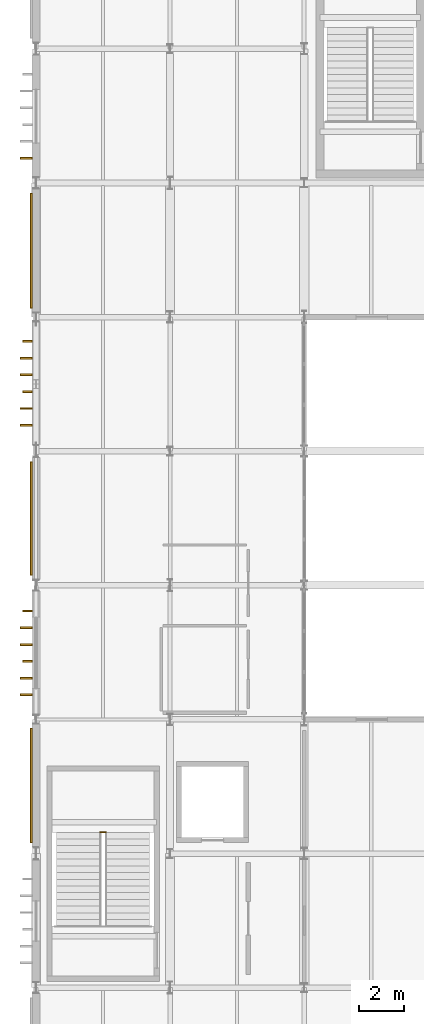
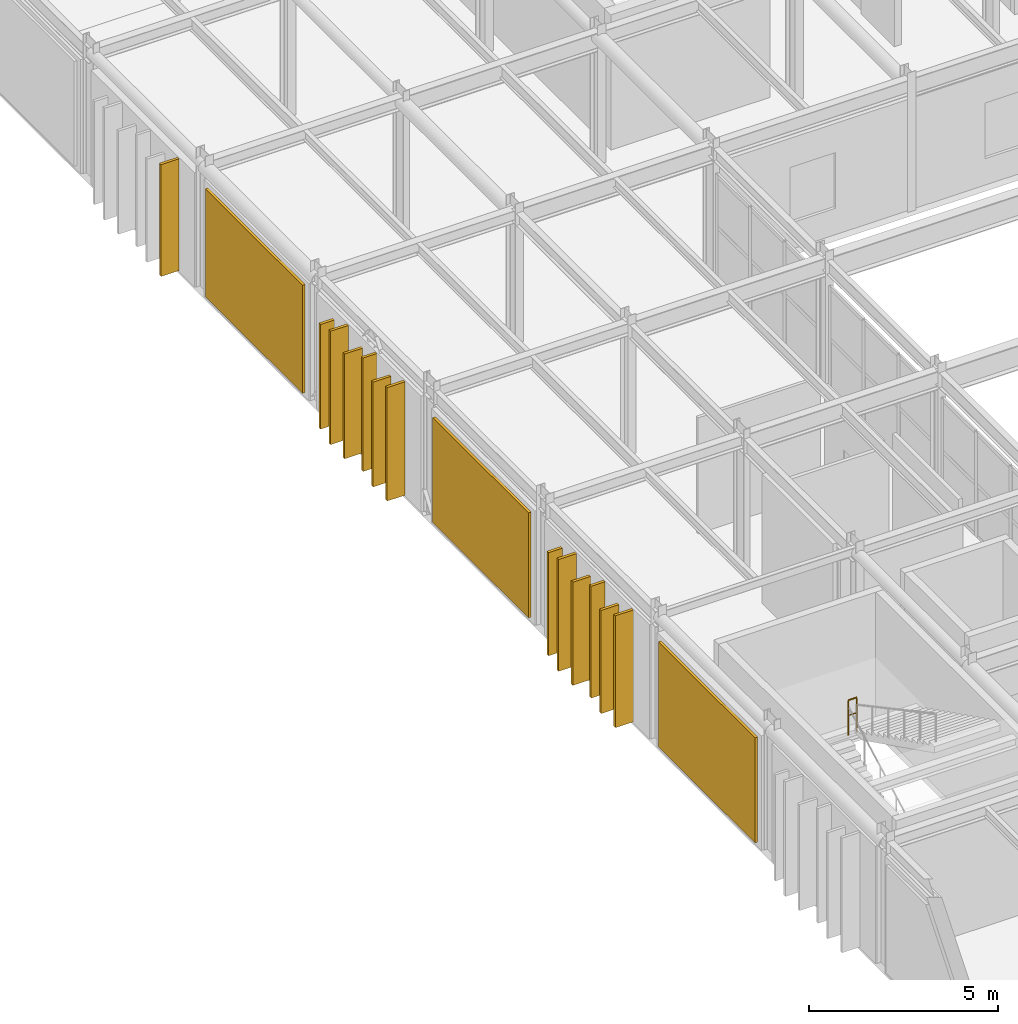
# One storey, part 73 of 84: 13 coverings, 3 shading devices, 1 railing.
"""IFC4 building model written with IfcOpenShell, lengths in metres."""

import ifcopenshell
import ifcopenshell.guid

model = None  # the IFC model being written
_history = None  # IfcOwnerHistory: only IFC2X3 demands one
_inside = {}  # id of a spatial element -> (the spatial element, [elements in it])
_under = {}  # id of a project, library or spatial element -> (it, [spatial elements below it])
_declared = {}  # id of a project -> (the project, [libraries it declares])
_typed = {}  # id of a type object -> (the type object, [elements of that type])
_made_of = {}  # id of a material, layer set ... -> (it, [elements and type objects made of it])


def new_model(schema):
    """Start an empty IFC model of exactly this schema.

    Asked for "IFC4X3", IfcOpenShell would pick the latest addendum, in which some entities
    have other attributes; the version numbers below select the first issue.
    IFC2X3 requires an IfcOwnerHistory on every rooted entity: one is made here for all.
    """
    global model, _history
    if schema == "IFC4X3":
        model = ifcopenshell.file(schema_version=(4, 3, 0, 0))
    else:
        model = ifcopenshell.file(schema=schema)
    _inside.clear()
    _under.clear()
    _declared.clear()
    _typed.clear()
    _made_of.clear()
    _history = None
    if model.schema == "IFC2X3":
        org = make("IfcOrganization", Name="unknown")
        user = make(
            "IfcPersonAndOrganization",
            ThePerson=make("IfcPerson", FamilyName="unknown"),
            TheOrganization=org,
        )
        app = make(
            "IfcApplication",
            ApplicationDeveloper=org,
            Version="unknown",
            ApplicationFullName="unknown",
            ApplicationIdentifier="unknown",
        )
        _history = make(
            "IfcOwnerHistory",
            OwningUser=user,
            OwningApplication=app,
            ChangeAction="ADDED",
            CreationDate=0,
        )
    return model


def make(cls, **values):
    """One entity of the class cls with the attributes given. An attribute that is None is left unset."""
    return model.create_entity(
        cls, **{name: value for name, value in values.items() if value is not None}
    )


def rooted(cls, **values):
    """An entity with a GlobalId (a new one), such as an element, a storey or a relation."""
    return make(cls, GlobalId=ifcopenshell.guid.new(), OwnerHistory=_history, **values)


def si_unit(unit_type, name, prefix=None):
    """IfcSIUnit, for example si_unit("LENGTHUNIT", "METRE", prefix="MILLI")."""
    return make("IfcSIUnit", UnitType=unit_type, Prefix=prefix, Name=name)


def assignment(units):
    """IfcUnitAssignment: the units of a project."""
    return None if units is None else make("IfcUnitAssignment", Units=units)


def point(xyz):
    """IfcCartesianPoint."""
    return None if xyz is None else make("IfcCartesianPoint", Coordinates=xyz)


def direction(xyz):
    """IfcDirection."""
    return None if xyz is None else make("IfcDirection", DirectionRatios=xyz)


def frame(location, z_axis=None, x_axis=None):
    """IfcAxis2Placement3D, a coordinate frame: its origin and axes. An axis left out is left unset."""
    return make(
        "IfcAxis2Placement3D",
        Location=point(location),
        Axis=direction(z_axis),
        RefDirection=direction(x_axis),
    )


def frame_2d(location, x_axis=None):
    """IfcAxis2Placement2D, a coordinate frame in the plane: its origin and x axis."""
    return make(
        "IfcAxis2Placement2D", Location=point(location), RefDirection=direction(x_axis)
    )


def origin():
    """The frame at (0, 0, 0) with its axes left unset."""
    return frame((0.0, 0.0, 0.0))


def origin_2d():
    """The frame at (0, 0) in the plane with its x axis left unset."""
    return frame_2d((0.0, 0.0))


def place(relative_to, where):
    """IfcLocalPlacement: puts the frame where relative to a parent placement (None: the world)."""
    return make(
        "IfcLocalPlacement", PlacementRelTo=relative_to, RelativePlacement=where
    )


def context(
    kind, dimensions, precision=None, world=None, true_north=None, identifier=None
):
    """IfcGeometricRepresentationContext, for example the 3D "Model" context."""
    return make(
        "IfcGeometricRepresentationContext",
        ContextIdentifier=identifier,
        ContextType=kind,
        CoordinateSpaceDimension=dimensions,
        Precision=precision,
        WorldCoordinateSystem=world,
        TrueNorth=true_north,
    )


def subcontext(parent, identifier, kind, view, scale=None):
    """IfcGeometricRepresentationSubContext, for example "Body" below "Model"."""
    return make(
        "IfcGeometricRepresentationSubContext",
        ContextIdentifier=identifier,
        ContextType=kind,
        ParentContext=parent,
        TargetScale=scale,
        TargetView=view,
    )


def project(units=None, contexts=None):
    """IfcProject with its units and contexts."""
    return rooted(
        "IfcProject",
        Name="project",
        RepresentationContexts=contexts,
        UnitsInContext=assignment(units),
    )


def spatial(cls, under=None, at=None, **own):
    """A site, building, storey or space (cls), placed at a placement, below another one or the project."""
    s = rooted(cls, ObjectPlacement=at, **own)
    if under is not None:
        _under.setdefault(under.id(), (under, []))[1].append(s)
    return s


def profile(cls, at=None, kind="AREA", **sizes):
    """A parametric profile (cls). Its sizes go by their IFC names, for example OverallWidth=200.0."""
    return make(cls, ProfileType=kind, Position=at, **sizes)


def rectangle(**sizes):
    """IfcRectangleProfileDef."""
    return profile("IfcRectangleProfileDef", **sizes)


def circle(**sizes):
    """IfcCircleProfileDef."""
    return profile("IfcCircleProfileDef", **sizes)


def extrude(swept, where, along, depth):
    """IfcExtrudedAreaSolid: the profile swept, set in the frame where, extruded along a direction by depth."""
    return make(
        "IfcExtrudedAreaSolid",
        SweptArea=swept,
        Position=where,
        ExtrudedDirection=direction(along),
        Depth=depth,
    )


def shape(context_of_items, identifier, shape_type, items):
    """IfcShapeRepresentation: the items that make up one representation, for example the "Body"."""
    return make(
        "IfcShapeRepresentation",
        ContextOfItems=context_of_items,
        RepresentationIdentifier=identifier,
        RepresentationType=shape_type,
        Items=items,
    )


def material(Name=None, Category=None):
    """IfcMaterial."""
    return make("IfcMaterial", Name=Name, Category=Category)


def layer(
    of_material, thickness, ventilated=None, Name=None, Category=None, Priority=None
):
    """IfcMaterialLayer: one layer of a wall or slab, of a material (None: an air gap)."""
    return make(
        "IfcMaterialLayer",
        Material=of_material,
        LayerThickness=thickness,
        IsVentilated=ventilated,
        Name=Name,
        Category=Category,
        Priority=Priority,
    )


def layer_set(layers, Name=None):
    """IfcMaterialLayerSet."""
    return make("IfcMaterialLayerSet", MaterialLayers=layers, LayerSetName=Name)


def made_of(thing, what):
    """Note that an element or type object is made of a material, layer set ...; save() writes the relation."""
    if what is not None:
        _made_of.setdefault(what.id(), (what, []))[1].append(thing)
    return thing


def type_object(cls, material=None, **own):
    """A type object (cls), such as IfcWallType, which elements share."""
    return made_of(rooted(cls, **own), material)


def element(
    cls,
    number,
    at=None,
    inside=None,
    cuts=None,
    type_object=None,
    material=None,
    context=None,
    identifier="Body",
    shape_type=None,
    held_by="IfcProductDefinitionShape",
    body=None,
    shapes=None,
    **own,
):
    """One element of the class cls, such as IfcWall. Its Tag is "e" and its number.

    at: its placement. inside: the storey or other place that contains it. cuts: it is an
    opening in that element (IfcRelVoidsElement). A single representation is given by context,
    identifier, shape_type and body (its items); several are given by shapes. held_by: the class
    of the entity that holds the representations. save() writes the other relations.
    """
    e = rooted(cls, Tag="e%d" % number, ObjectPlacement=at, **own)
    if body is not None:
        shapes = [shape(context, identifier, shape_type, body)]
    if shapes is not None:
        e.Representation = make(held_by, Representations=shapes)
    if inside is not None:
        _inside.setdefault(inside.id(), (inside, []))[1].append(e)
    if cuts is not None:
        rooted(
            "IfcRelVoidsElement", RelatingBuildingElement=cuts, RelatedOpeningElement=e
        )
    if type_object is not None:
        _typed.setdefault(type_object.id(), (type_object, []))[1].append(e)
    return made_of(e, material)


def aggregate(whole, parts):
    """IfcRelAggregates: a whole, such as a stair, and the parts it consists of."""
    return rooted("IfcRelAggregates", RelatingObject=whole, RelatedObjects=parts)


def save(model, path):
    """Write the relations noted so far, then the file.

    IfcRelAggregates (storeys below a building ...), IfcRelContainedInSpatialStructure (elements
    in a storey), IfcRelDefinesByType, IfcRelAssociatesMaterial and IfcRelDeclares: one each for
    every whole, place, type object, material and project.
    """
    for whole, parts in _under.values():
        aggregate(whole, parts)
    for where, things in _inside.values():
        rooted(
            "IfcRelContainedInSpatialStructure",
            RelatedElements=things,
            RelatingStructure=where,
        )
    for kind, things in _typed.values():
        rooted("IfcRelDefinesByType", RelatedObjects=things, RelatingType=kind)
    for what, things in _made_of.values():
        rooted("IfcRelAssociatesMaterial", RelatedObjects=things, RelatingMaterial=what)
    for by, libraries in _declared.values():
        rooted("IfcRelDeclares", RelatingContext=by, RelatedDefinitions=libraries)
    model.write(path)


model = new_model("IFC4")

# Units and contexts
model_context = context("Model", 3, precision=1e-05, world=origin(), true_north=direction((0.0, 1.0)))
body_context = subcontext(model_context, "Body", "Model", "MODEL_VIEW")
ifc_project = project(units=[si_unit("LENGTHUNIT", "METRE"), si_unit("AREAUNIT", "SQUARE_METRE"), si_unit("VOLUMEUNIT", "CUBIC_METRE"), si_unit("PLANEANGLEUNIT", "RADIAN"), si_unit("MASSUNIT", "GRAM", prefix="KILO")], contexts=[model_context])

# Site, building, storey
site_placement = place(None, origin())
site = spatial("IfcSite", under=ifc_project, at=site_placement, CompositionType="ELEMENT")
building_placement = place(site_placement, origin())
building = spatial("IfcBuilding", under=site, at=building_placement, Name="Varnakota Square Police Headquarters", CompositionType="ELEMENT")
storey_placement = place(building_placement, frame((0.0, 0.0, 13.5)))
storey = spatial("IfcBuildingStorey", under=building, at=storey_placement, Name="L03", CompositionType="ELEMENT", Elevation=13.5)

# Coverings
ifc_material_1 = material(Name="White Anodised Aluminium Vertical Facade Blade 420", Category="aluminium")
ifc_layer_1 = layer(ifc_material_1, 0.0849609375, Name="White Anodised Aluminium Vertical Facade Blade 420")
ifc_layer_set_1 = layer_set([ifc_layer_1], Name="White Anodised Aluminium Vertical Facade Blade 420")
covering_type_1 = type_object("IfcCoveringType", Name="COV-FIN-420", PredefinedType="CLADDING", material=ifc_layer_set_1)
covering_1_placement = place(storey_placement, frame((5.625, 41.60009765625, 0.0400390625), z_axis=(0.0, 0.0, 1.0), x_axis=(0.0, 1.0, 0.0)))
element("IfcCovering", 1, at=covering_1_placement, inside=storey, type_object=covering_type_1, Name="Vertical aluminium facade fin FIN-0986", PredefinedType="CLADDING", context=body_context, shape_type="SweptSolid", body=[
    extrude(rectangle(XDim=0.0849609375, YDim=0.419921875, at=origin_2d()), origin(), (0.0, 0.0, 1.0), 3.610107421875),
])
covering_2_placement = place(storey_placement, frame((5.625, 43.85009765625, 0.0400390625), z_axis=(0.0, 0.0, 1.0), x_axis=(0.0, 1.0, 0.0)))
element("IfcCovering", 2, at=covering_2_placement, inside=storey, type_object=covering_type_1, Name="Vertical aluminium facade fin FIN-0989", PredefinedType="CLADDING", context=body_context, shape_type="SweptSolid", body=[
    extrude(rectangle(XDim=0.0849609375, YDim=0.419921875, at=origin_2d()), origin(), (0.0, 0.0, 1.0), 3.330078125),
])
covering_3_placement = place(storey_placement, frame((5.625, 53.66259765625, 0.0400390625), z_axis=(0.0, 0.0, 1.0), x_axis=(0.0, 1.0, 0.0)))
element("IfcCovering", 3, at=covering_3_placement, inside=storey, type_object=covering_type_1, Name="Vertical aluminium facade fin FIN-0992", PredefinedType="CLADDING", context=body_context, shape_type="SweptSolid", body=[
    extrude(rectangle(XDim=0.0849609375, YDim=0.419921875, at=origin_2d()), origin(), (0.0, 0.0, 1.0), 3.659912109375),
])
covering_4_placement = place(storey_placement, frame((5.625, 55.91259765625, 0.0400390625), z_axis=(0.0, 0.0, 1.0), x_axis=(0.0, 1.0, 0.0)))
element("IfcCovering", 4, at=covering_4_placement, inside=storey, type_object=covering_type_1, Name="Vertical aluminium facade fin FIN-0995", PredefinedType="CLADDING", context=body_context, shape_type="SweptSolid", body=[
    extrude(rectangle(XDim=0.0849609375, YDim=0.419921875, at=origin_2d()), origin(), (0.0, 0.0, 1.0), 3.3798828125),
])
ifc_material_2 = material(Name="White Anodised Aluminium Vertical Facade Blade 550", Category="aluminium")
ifc_layer_2 = layer(ifc_material_2, 0.0849609375, Name="White Anodised Aluminium Vertical Facade Blade 550")
ifc_layer_set_2 = layer_set([ifc_layer_2], Name="White Anodised Aluminium Vertical Facade Blade 550")
covering_type_2 = type_object("IfcCoveringType", Name="COV-FIN-550", PredefinedType="CLADDING", material=ifc_layer_set_2)
covering_5_placement = place(storey_placement, frame((5.56005859375, 40.10009765625, 0.0400390625), z_axis=(0.0, 0.0, 1.0), x_axis=(0.0, 1.0, 0.0)))
element("IfcCovering", 5, at=covering_5_placement, inside=storey, type_object=covering_type_2, Name="Vertical aluminium facade fin FIN-0984", PredefinedType="CLADDING", context=body_context, shape_type="SweptSolid", body=[
    extrude(rectangle(XDim=0.0849609375, YDim=0.550048828125, at=origin_2d()), origin(), (0.0, 0.0, 1.0), 3.610107421875),
])
for number, where, z_axis, x_axis, name in (
    (6, (5.56005859375, 40.85009765625, 0.0400390625), (0.0, 0.0, 1.0), (0.0, 1.0, 0.0), "Vertical aluminium facade fin FIN-0985"),
    (7, (5.56005859375, 42.35009765625, 0.0400390625), (0.0, 0.0, 1.0), (0.0, 1.0, 0.0), "Vertical aluminium facade fin FIN-0987"),
):
    element("IfcCovering", number, at=place(storey_placement, frame(where, z_axis=z_axis, x_axis=x_axis)), inside=storey, type_object=covering_type_2, Name=name, PredefinedType="CLADDING", context=body_context, shape_type="SweptSolid", body=[
        extrude(rectangle(XDim=0.0849609375, YDim=0.550048828125, at=origin_2d()), origin(), (0.0, 0.0, 1.0), 3.330078125),
    ])
covering_6_placement = place(storey_placement, frame((5.56005859375, 43.10009765625, 0.0400390625), z_axis=(0.0, 0.0, 1.0), x_axis=(0.0, 1.0, 0.0)))
element("IfcCovering", 8, at=covering_6_placement, inside=storey, type_object=covering_type_2, Name="Vertical aluminium facade fin FIN-0988", PredefinedType="CLADDING", context=body_context, shape_type="SweptSolid", body=[
    extrude(rectangle(XDim=0.0849609375, YDim=0.550048828125, at=origin_2d()), origin(), (0.0, 0.0, 1.0), 3.610107421875),
])
covering_7_placement = place(storey_placement, frame((5.56005859375, 52.16259765625, 0.0400390625), z_axis=(0.0, 0.0, 1.0), x_axis=(0.0, 1.0, 0.0)))
element("IfcCovering", 9, at=covering_7_placement, inside=storey, type_object=covering_type_2, Name="Vertical aluminium facade fin FIN-0990", PredefinedType="CLADDING", context=body_context, shape_type="SweptSolid", body=[
    extrude(rectangle(XDim=0.0849609375, YDim=0.550048828125, at=origin_2d()), origin(), (0.0, 0.0, 1.0), 3.659912109375),
])
for number, where, z_axis, x_axis, name in (
    (10, (5.56005859375, 52.91259765625, 0.0400390625), (0.0, 0.0, 1.0), (0.0, 1.0, 0.0), "Vertical aluminium facade fin FIN-0991"),
    (11, (5.56005859375, 54.41259765625, 0.0400390625), (0.0, 0.0, 1.0), (0.0, 1.0, 0.0), "Vertical aluminium facade fin FIN-0993"),
):
    element("IfcCovering", number, at=place(storey_placement, frame(where, z_axis=z_axis, x_axis=x_axis)), inside=storey, type_object=covering_type_2, Name=name, PredefinedType="CLADDING", context=body_context, shape_type="SweptSolid", body=[
        extrude(rectangle(XDim=0.0849609375, YDim=0.550048828125, at=origin_2d()), origin(), (0.0, 0.0, 1.0), 3.3798828125),
    ])
covering_8_placement = place(storey_placement, frame((5.56005859375, 55.16259765625, 0.0400390625), z_axis=(0.0, 0.0, 1.0), x_axis=(0.0, 1.0, 0.0)))
element("IfcCovering", 12, at=covering_8_placement, inside=storey, type_object=covering_type_2, Name="Vertical aluminium facade fin FIN-0994", PredefinedType="CLADDING", context=body_context, shape_type="SweptSolid", body=[
    extrude(rectangle(XDim=0.0849609375, YDim=0.550048828125, at=origin_2d()), origin(), (0.0, 0.0, 1.0), 3.659912109375),
])
covering_9_placement = place(storey_placement, frame((5.56005859375, 64.112548828125, 0.0400390625), z_axis=(0.0, 0.0, 1.0), x_axis=(0.0, 1.0, 0.0)))
element("IfcCovering", 13, at=covering_9_placement, inside=storey, type_object=covering_type_2, Name="Vertical aluminium facade fin FIN-0996", PredefinedType="CLADDING", context=body_context, shape_type="SweptSolid", body=[
    extrude(rectangle(XDim=0.0849609375, YDim=0.550048828125, at=origin_2d()), origin(), (0.0, 0.0, 1.0), 3.610107421875),
])

# Railing
ifc_material_3 = material(Name="Laminated Glass and Stainless Steel Balustrade", Category="steel")
railing_type = type_object("IfcRailingType", Name="RL-INT-1150", PredefinedType="BALUSTRADE", material=ifc_material_3)
railing_placement = place(storey_placement, frame((8.869873046875, 33.95068359375, 2.25)))
element("IfcRailing", 14, at=railing_placement, inside=storey, type_object=railing_type, Name="Half-landing well guard C4 L03", PredefinedType="BALUSTRADE", context=body_context, shape_type="SweptSolid", body=[
    extrude(circle(Radius=0.02392578125, at=origin_2d()), frame((0.0, 0.0, 1.1259765625), z_axis=(1.0, 0.0, 0.0), x_axis=(0.0, 1.0, 0.0)), (0.0, 0.0, 1.0), 0.26025390625),
    extrude(circle(Radius=0.01806640625, at=origin_2d()), frame((0.0, 0.0, 0.63232421875), z_axis=(1.0, 0.0, 0.0), x_axis=(0.0, 1.0, 0.0)), (0.0, 0.0, 1.0), 0.26025390625),
    extrude(circle(Radius=0.02099609375, at=origin_2d()), origin(), (0.0, 0.0, 1.0), 1.101806640625),
    extrude(circle(Radius=0.02099609375, at=origin_2d()), frame((0.26025390625, 0.0, 0.0)), (0.0, 0.0, 1.0), 1.101806640625),
])

# Shading devices
ifc_material_4 = material(Name="Perforated Sandstone-Toned GRC Jali Screen", Category="masonry")
ifc_layer_3 = layer(ifc_material_4, 0.080078125, Name="Perforated Sandstone-Toned GRC Jali Screen")
ifc_layer_set_3 = layer_set([ifc_layer_3], Name="Perforated Sandstone-Toned GRC Jali Screen")
shading_device_type = type_object("IfcShadingDeviceType", Name="SHD-SCR-GRC", PredefinedType="USERDEFINED", material=ifc_layer_set_3)
shading_device_1_placement = place(storey_placement, frame((5.7919921875, 36.03759765625, 0.14990234375), z_axis=(0.0, 0.0, 1.0), x_axis=(0.0, 1.0, 0.0)))
element("IfcShadingDevice", 15, at=shading_device_1_placement, inside=storey, type_object=shading_device_type, Name="Perforated GRC solar screen SCR-014", ObjectType="SOLAR SCREEN", PredefinedType="USERDEFINED", context=body_context, shape_type="SweptSolid", body=[
    extrude(rectangle(XDim=5.116943359375, YDim=0.080078125, at=origin_2d()), origin(), (0.0, 0.0, 1.0), 3.389892578125),
])
shading_device_2_placement = place(storey_placement, frame((5.7919921875, 47.987548828125, 0.14990234375), z_axis=(0.0, 0.0, 1.0), x_axis=(0.0, 1.0, 0.0)))
element("IfcShadingDevice", 16, at=shading_device_2_placement, inside=storey, type_object=shading_device_type, Name="Perforated GRC solar screen SCR-015", ObjectType="SOLAR SCREEN", PredefinedType="USERDEFINED", context=body_context, shape_type="SweptSolid", body=[
    extrude(rectangle(XDim=5.06689453125, YDim=0.080078125, at=origin_2d()), origin(), (0.0, 0.0, 1.0), 3.389892578125),
])
shading_device_3_placement = place(storey_placement, frame((5.7919921875, 59.97509765625, 0.14990234375), z_axis=(0.0, 0.0, 1.0), x_axis=(0.0, 1.0, 0.0)))
element("IfcShadingDevice", 17, at=shading_device_3_placement, inside=storey, type_object=shading_device_type, Name="Perforated GRC solar screen SCR-016", ObjectType="SOLAR SCREEN", PredefinedType="USERDEFINED", context=body_context, shape_type="SweptSolid", body=[
    extrude(rectangle(XDim=5.14208984375, YDim=0.080078125, at=origin_2d()), origin(), (0.0, 0.0, 1.0), 3.483642578125),
])

save(model, "model.ifc")
